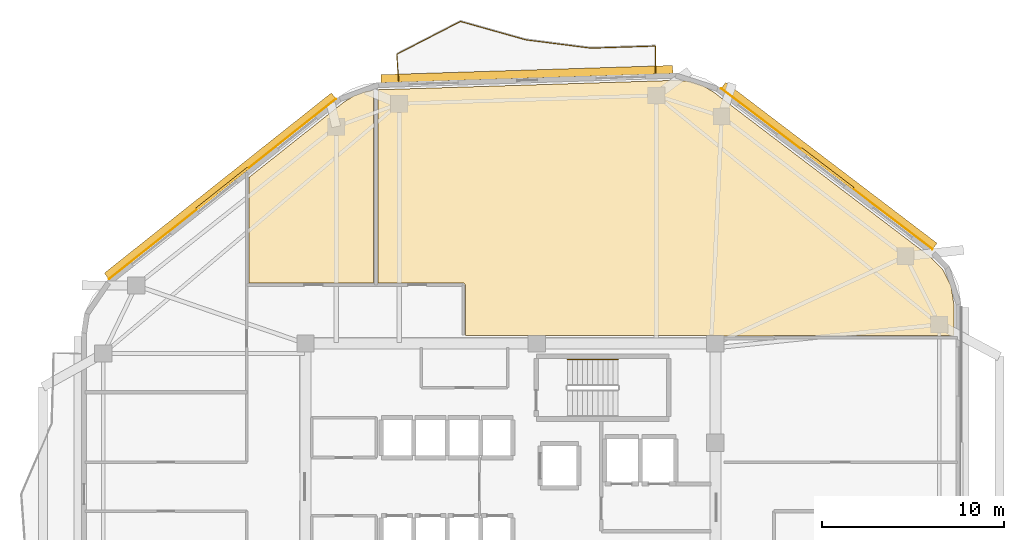
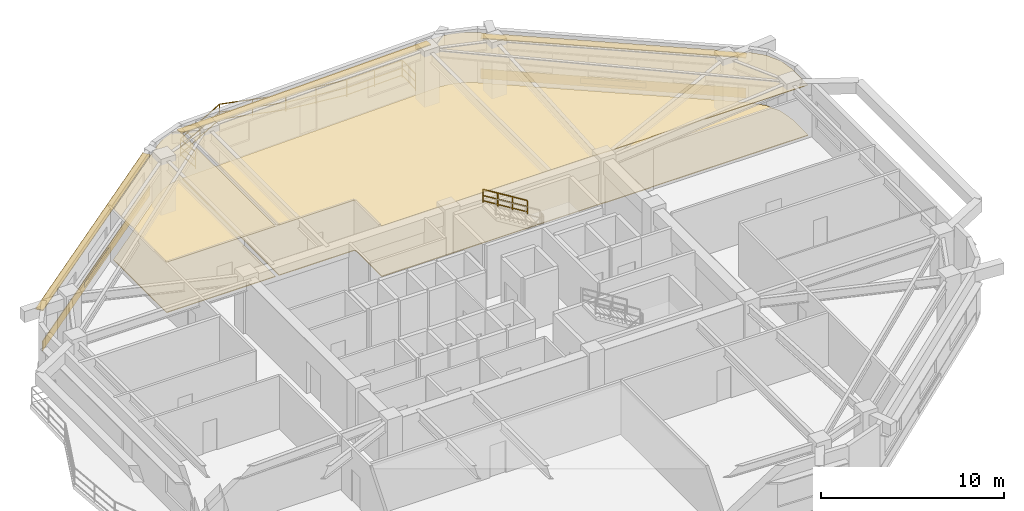
# One storey, part 9 of 9: 7 railings, 6 coverings, 5 shading devices.
"""IFC4 building model written with IfcOpenShell, lengths in metres."""

from ifc_helpers import new_model, si_unit, direction, frame, origin, origin_2d, place, context, subcontext, project, spatial, polyline, rectangle, outline, extrude, material, layer, layer_set, type_object, element, save


model = new_model("IFC4")

# Units and contexts
model_context = context("Model", 3, precision=1e-05, world=origin(), true_north=direction((0.0, 1.0)))
body_context = subcontext(model_context, "Body", "Model", "MODEL_VIEW")
ifc_project = project(units=[si_unit("LENGTHUNIT", "METRE"), si_unit("AREAUNIT", "SQUARE_METRE"), si_unit("VOLUMEUNIT", "CUBIC_METRE"), si_unit("PLANEANGLEUNIT", "RADIAN"), si_unit("MASSUNIT", "GRAM", prefix="KILO")], contexts=[model_context])

# Site, building, storey
site_placement = place(None, origin())
site = spatial("IfcSite", under=ifc_project, at=site_placement, CompositionType="ELEMENT")
building_placement = place(site_placement, origin())
building = spatial("IfcBuilding", under=site, at=building_placement, Name="Zulverin Broadcast Headquarters", CompositionType="ELEMENT")
storey_placement = place(building_placement, frame((0.0, 0.0, 189.60009765625)))
storey = spatial("IfcBuildingStorey", under=building, at=storey_placement, Name="L48", CompositionType="ELEMENT", Elevation=189.60009765625)

# Coverings
ifc_material_1 = material(Name="Perforated pale-metal acoustic baffle ceiling", Category="aluminium")
ifc_layer_1 = layer(ifc_material_1, 0.0400390625, Name="Perforated pale-metal acoustic baffle ceiling", Category="aluminium")
ifc_layer_set_1 = layer_set([ifc_layer_1], Name="Perforated pale-metal acoustic baffle ceiling")
covering_type_1 = type_object("IfcCoveringType", Name="COV-CEIL-ACOU", PredefinedType="CEILING", material=ifc_layer_set_1)
covering_1_placement = place(storey_placement, frame((0.0, 0.0, 3.35986328125)))
element("IfcCovering", 1, at=covering_1_placement, inside=storey, type_object=covering_type_1, Name="L48 Acoustic Baffle Ceiling 01", PredefinedType="CEILING", context=body_context, shape_type="SweptSolid", body=[
    extrude(outline(polyline([(22.6201171875, 36.419921875), (29.47998046875, 36.419921875), (29.47998046875, 47.00390625), (29.031982421875, 46.944091796875), (28.39599609375, 46.7080078125), (27.800048828125, 46.33203125), (22.6201171875, 42.219970703125), (22.6201171875, 36.419921875)])), origin(), (0.0, 0.0, 1.0), 0.0400390625),
])
covering_2_placement = place(storey_placement, frame((0.0, 0.0, 3.35986328125)))
element("IfcCovering", 2, at=covering_2_placement, inside=storey, type_object=covering_type_1, Name="L48 Acoustic Baffle Ceiling 02", PredefinedType="CEILING", context=body_context, shape_type="SweptSolid", body=[
    extrude(outline(polyline([(46.1279296875, 47.56005859375), (41.10400390625, 47.39990234375), (29.72802734375, 47.0400390625), (29.719970703125, 47.0400390625), (29.719970703125, 36.419921875), (34.367919921875, 36.419921875), (34.3798828125, 36.419921875), (34.39208984375, 36.416015625), (34.39990234375, 36.416015625), (34.412109375, 36.412109375), (34.419921875, 36.407958984375), (34.427978515625, 36.404052734375), (34.43603515625, 36.39990234375), (34.447998046875, 36.39208984375), (34.4599609375, 36.384033203125), (34.468017578125, 36.3759765625), (34.47607421875, 36.367919921875), (34.48388671875, 36.360107421875), (34.491943359375, 36.347900390625), (34.5, 36.3359375), (34.50390625, 36.327880859375), (34.508056640625, 36.320068359375), (34.511962890625, 36.31201171875), (34.51611328125, 36.300048828125), (34.51611328125, 36.2919921875), (34.52001953125, 36.280029296875), (34.52001953125, 36.26806640625), (34.52001953125, 33.52001953125), (48.568115234375, 33.52001953125), (48.580078125, 33.52001953125), (48.592041015625, 33.51611328125), (48.60009765625, 33.51611328125), (48.612060546875, 33.511962890625), (48.6201171875, 33.508056640625), (48.635986328125, 33.5), (51.464111328125, 33.5), (51.471923828125, 33.50390625), (51.47998046875, 33.508056640625), (51.488037109375, 33.511962890625), (51.5, 33.51611328125), (51.508056640625, 33.51611328125), (51.52001953125, 33.52001953125), (51.531982421875, 33.52001953125), (61.39990234375, 33.52001953125), (61.39990234375, 35.239990234375), (61.243896484375, 36.236083984375), (60.81201171875, 37.112060546875), (60.112060546875, 37.840087890625), (51.427978515625, 44.444091796875), (48.2080078125, 46.89208984375), (47.568115234375, 47.27587890625), (46.8759765625, 47.49609375), (46.1279296875, 47.56005859375)])), origin(), (0.0, 0.0, 1.0), 0.0400390625),
])
ifc_material_2 = material(Name="Brushed pale-aluminium rainscreen cladding", Category="aluminium")
ifc_layer_2 = layer(ifc_material_2, 0.0400390625, Name="Brushed pale-aluminium rainscreen cladding", Category="aluminium")
ifc_layer_set_2 = layer_set([ifc_layer_2], Name="Brushed pale-aluminium rainscreen cladding")
covering_type_2 = type_object("IfcCoveringType", Name="COV-CLAD-PALE", PredefinedType="CLADDING", material=ifc_layer_set_2)
covering_3_placement = place(storey_placement, frame((54.412353515625, 42.689453125, 0.054931640625), z_axis=(0.0, 0.0, 1.0), x_axis=(-0.795836111996, 0.605512083152, 0.0)))
element("IfcCovering", 3, at=covering_3_placement, inside=storey, type_object=covering_type_2, Name="L48 Brushed Pale-Aluminium Spandrel Cladding 4", PredefinedType="CLADDING", context=body_context, shape_type="SweptSolid", body=[
    extrude(rectangle(XDim=14.61181640625, YDim=0.0400390625, at=origin_2d()), origin(), (0.0, 0.0, 1.0), 0.64990234375),
])
covering_4_placement = place(storey_placement, frame((21.16015625, 41.583984375, 0.054931640625), z_axis=(0.0, 0.0, 1.0), x_axis=(-0.783270473924, -0.621681079556, 0.0)))
element("IfcCovering", 4, at=covering_4_placement, inside=storey, type_object=covering_type_2, Name="L48 Brushed Pale-Aluminium Spandrel Cladding 6", PredefinedType="CLADDING", context=body_context, shape_type="SweptSolid", body=[
    extrude(rectangle(XDim=15.953125, YDim=0.0400390625, at=origin_2d()), origin(), (0.0, 0.0, 1.0), 0.64990234375),
])
ifc_material_3 = material(Name="Anti-static broadcast raised access flooring", Category="stone")
ifc_layer_3 = layer(ifc_material_3, 0.050048828125, Name="Anti-static broadcast raised access flooring", Category="stone")
ifc_layer_set_3 = layer_set([ifc_layer_3], Name="Anti-static broadcast raised access flooring")
covering_type_3 = type_object("IfcCoveringType", Name="COV-FLR-RAISED", PredefinedType="FLOORING", material=ifc_layer_set_3)
covering_5_placement = place(storey_placement, origin())
element("IfcCovering", 5, at=covering_5_placement, inside=storey, type_object=covering_type_3, Name="L48 Broadcast Raised Access Flooring 01", PredefinedType="FLOORING", context=body_context, shape_type="SweptSolid", body=[
    extrude(outline(polyline([(22.6201171875, 36.419921875), (29.47998046875, 36.419921875), (29.47998046875, 47.00390625), (29.031982421875, 46.944091796875), (28.39599609375, 46.7080078125), (27.800048828125, 46.33203125), (22.6201171875, 42.219970703125), (22.6201171875, 36.419921875)])), origin(), (0.0, 0.0, 1.0), 0.0498046875),
])
covering_6_placement = place(storey_placement, origin())
element("IfcCovering", 6, at=covering_6_placement, inside=storey, type_object=covering_type_3, Name="L48 Broadcast Raised Access Flooring 02", PredefinedType="FLOORING", context=body_context, shape_type="SweptSolid", body=[
    extrude(outline(polyline([(46.1279296875, 47.56005859375), (41.10400390625, 47.39990234375), (29.72802734375, 47.0400390625), (29.719970703125, 47.0400390625), (29.719970703125, 36.419921875), (34.367919921875, 36.419921875), (34.3798828125, 36.419921875), (34.39208984375, 36.416015625), (34.39990234375, 36.416015625), (34.412109375, 36.412109375), (34.419921875, 36.407958984375), (34.427978515625, 36.404052734375), (34.43603515625, 36.39990234375), (34.447998046875, 36.39208984375), (34.4599609375, 36.384033203125), (34.468017578125, 36.3759765625), (34.47607421875, 36.367919921875), (34.48388671875, 36.360107421875), (34.491943359375, 36.347900390625), (34.5, 36.3359375), (34.50390625, 36.327880859375), (34.508056640625, 36.320068359375), (34.511962890625, 36.31201171875), (34.51611328125, 36.300048828125), (34.51611328125, 36.2919921875), (34.52001953125, 36.280029296875), (34.52001953125, 36.26806640625), (34.52001953125, 33.52001953125), (48.568115234375, 33.52001953125), (48.580078125, 33.52001953125), (48.592041015625, 33.51611328125), (48.60009765625, 33.51611328125), (48.612060546875, 33.511962890625), (48.6201171875, 33.508056640625), (48.635986328125, 33.5), (51.464111328125, 33.5), (51.471923828125, 33.50390625), (51.47998046875, 33.508056640625), (51.488037109375, 33.511962890625), (51.5, 33.51611328125), (51.508056640625, 33.51611328125), (51.52001953125, 33.52001953125), (51.531982421875, 33.52001953125), (61.39990234375, 33.52001953125), (61.39990234375, 35.239990234375), (61.243896484375, 36.236083984375), (60.81201171875, 37.112060546875), (60.112060546875, 37.840087890625), (51.427978515625, 44.444091796875), (48.2080078125, 46.89208984375), (47.568115234375, 47.27587890625), (46.8759765625, 47.49609375), (46.1279296875, 47.56005859375)])), origin(), (0.0, 0.0, 1.0), 0.0498046875),
])

# Railings
ifc_material_4 = material(Name="Brushed stainless steel & laminated glass balustrade", Category="steel")
railing_type_1 = type_object("IfcRailingType", Name="RL-GUARD-1150", PredefinedType="GUARDRAIL", material=ifc_material_4)
railing_1_placement = place(storey_placement, frame((44.978271484375, 47.962646484375, 0.0)))
element("IfcRailing", 7, at=railing_1_placement, inside=storey, type_object=railing_type_1, Name="L48 Vertical-Forest Balcony Guardrail BAL_N Segment 01", PredefinedType="GUARDRAIL", context=body_context, shape_type="SweptSolid", body=[
    extrude(rectangle(XDim=0.048095703125, YDim=0.048095703125, at=origin_2d()), frame((0.0, 0.0, 1.1259765625), z_axis=(0.008825634609, 0.999961053328, 0.0), x_axis=(-0.999961053328, 0.008825634609, 0.0)), (0.0, 0.0, 1.0), 1.466064453125),
    extrude(rectangle(XDim=0.0419921875, YDim=0.0419921875, at=origin_2d()), frame((0.0, 0.0, 0.597900390625), z_axis=(0.008825634609, 0.999961053328, 0.0), x_axis=(-0.999961053328, 0.008825634609, 0.0)), (0.0, 0.0, 1.0), 1.466064453125),
    extrude(rectangle(XDim=0.0419921875, YDim=0.0419921875, at=origin_2d()), frame((0.0, 0.0, 0.1201171875), z_axis=(0.008825634609, 0.999961053328, 0.0), x_axis=(-0.999961053328, 0.008825634609, 0.0)), (0.0, 0.0, 1.0), 1.466064453125),
    extrude(rectangle(XDim=0.0419921875, YDim=0.0419921875, at=origin_2d()), origin(), (0.0, 0.0, 1.0), 1.101806640625),
    extrude(rectangle(XDim=0.0419921875, YDim=0.0419921875, at=origin_2d()), frame((0.012939453125, 1.466064453125, 0.0)), (0.0, 0.0, 1.0), 1.101806640625),
])
railing_2_placement = place(storey_placement, frame((44.976318359375, 49.443359375, 0.0)))
element("IfcRailing", 8, at=railing_2_placement, inside=storey, type_object=railing_type_1, Name="L48 Vertical-Forest Balcony Guardrail BAL_N Segment 02", PredefinedType="GUARDRAIL", context=body_context, shape_type="SweptSolid", body=[
    extrude(rectangle(XDim=0.048095703125, YDim=0.048095703125, at=origin_2d()), frame((0.0, 0.0, 1.1259765625), z_axis=(-0.999496927381, -0.03171580295, 0.0), x_axis=(0.03171580295, -0.999496927381, 0.0)), (0.0, 0.0, 1.0), 3.533203125),
    extrude(rectangle(XDim=0.0419921875, YDim=0.0419921875, at=origin_2d()), frame((0.0, 0.0, 0.597900390625), z_axis=(-0.999496927381, -0.03171580295, 0.0), x_axis=(0.03171580295, -0.999496927381, 0.0)), (0.0, 0.0, 1.0), 3.533203125),
    extrude(rectangle(XDim=0.0419921875, YDim=0.0419921875, at=origin_2d()), frame((0.0, 0.0, 0.1201171875), z_axis=(-0.999496927381, -0.03171580295, 0.0), x_axis=(0.03171580295, -0.999496927381, 0.0)), (0.0, 0.0, 1.0), 3.533203125),
    extrude(rectangle(XDim=0.0419921875, YDim=0.0419921875, at=origin_2d()), origin(), (0.0, 0.0, 1.0), 1.101806640625),
    extrude(rectangle(XDim=0.0419921875, YDim=0.0419921875, at=origin_2d()), frame((-1.765625, -0.05615234375, 0.0)), (0.0, 0.0, 1.0), 1.101806640625),
    extrude(rectangle(XDim=0.0419921875, YDim=0.0419921875, at=origin_2d()), frame((-3.531494140625, -0.112060546875, 0.0)), (0.0, 0.0, 1.0), 1.101806640625),
])
railing_3_placement = place(storey_placement, frame((41.4150390625, 49.332763671875, 0.0)))
element("IfcRailing", 9, at=railing_3_placement, inside=storey, type_object=railing_type_1, Name="L48 Vertical-Forest Balcony Guardrail BAL_N Segment 03", PredefinedType="GUARDRAIL", context=body_context, shape_type="SweptSolid", body=[
    extrude(rectangle(XDim=0.048095703125, YDim=0.048095703125, at=origin_2d()), frame((0.0, 0.0, 1.1259765625), z_axis=(-0.991958712042, 0.126561896337, 0.0), x_axis=(-0.126561896337, -0.991958712042, 0.0)), (0.0, 0.0, 1.0), 3.578369140625),
    extrude(rectangle(XDim=0.0419921875, YDim=0.0419921875, at=origin_2d()), frame((0.0, 0.0, 0.597900390625), z_axis=(-0.991958712042, 0.126561896337, 0.0), x_axis=(-0.126561896337, -0.991958712042, 0.0)), (0.0, 0.0, 1.0), 3.578369140625),
    extrude(rectangle(XDim=0.0419921875, YDim=0.0419921875, at=origin_2d()), frame((0.0, 0.0, 0.1201171875), z_axis=(-0.991958712042, 0.126561896337, 0.0), x_axis=(-0.126561896337, -0.991958712042, 0.0)), (0.0, 0.0, 1.0), 3.578369140625),
    extrude(rectangle(XDim=0.0419921875, YDim=0.0419921875, at=origin_2d()), origin(), (0.0, 0.0, 1.0), 1.101806640625),
    extrude(rectangle(XDim=0.0419921875, YDim=0.0419921875, at=origin_2d()), frame((-1.77490234375, 0.2265625, 0.0)), (0.0, 0.0, 1.0), 1.101806640625),
    extrude(rectangle(XDim=0.0419921875, YDim=0.0419921875, at=origin_2d()), frame((-3.549560546875, 0.452880859375, 0.0)), (0.0, 0.0, 1.0), 1.101806640625),
])
railing_4_placement = place(storey_placement, frame((37.836181640625, 49.791748046875, 0.0)))
element("IfcRailing", 10, at=railing_4_placement, inside=storey, type_object=railing_type_1, Name="L48 Vertical-Forest Balcony Guardrail BAL_N Segment 04", PredefinedType="GUARDRAIL", context=body_context, shape_type="SweptSolid", body=[
    extrude(rectangle(XDim=0.048095703125, YDim=0.048095703125, at=origin_2d()), frame((0.0, 0.0, 1.1259765625), z_axis=(-0.962715289952, 0.270516673223, 0.0), x_axis=(-0.270516673223, -0.962715289952, 0.0)), (0.0, 0.0, 1.0), 3.70654296875),
    extrude(rectangle(XDim=0.0419921875, YDim=0.0419921875, at=origin_2d()), frame((0.0, 0.0, 0.597900390625), z_axis=(-0.962715289952, 0.270516673223, 0.0), x_axis=(-0.270516673223, -0.962715289952, 0.0)), (0.0, 0.0, 1.0), 3.70654296875),
    extrude(rectangle(XDim=0.0419921875, YDim=0.0419921875, at=origin_2d()), frame((0.0, 0.0, 0.1201171875), z_axis=(-0.962715289952, 0.270516673223, 0.0), x_axis=(-0.270516673223, -0.962715289952, 0.0)), (0.0, 0.0, 1.0), 3.70654296875),
    extrude(rectangle(XDim=0.0419921875, YDim=0.0419921875, at=origin_2d()), origin(), (0.0, 0.0, 1.0), 1.101806640625),
    extrude(rectangle(XDim=0.0419921875, YDim=0.0419921875, at=origin_2d()), frame((-1.7841796875, 0.50146484375, 0.0)), (0.0, 0.0, 1.0), 1.101806640625),
    extrude(rectangle(XDim=0.0419921875, YDim=0.0419921875, at=origin_2d()), frame((-3.568359375, 1.002685546875, 0.0)), (0.0, 0.0, 1.0), 1.101806640625),
])
railing_5_placement = place(storey_placement, frame((34.240234375, 50.79150390625, 0.0)))
element("IfcRailing", 11, at=railing_5_placement, inside=storey, type_object=railing_type_1, Name="L48 Vertical-Forest Balcony Guardrail BAL_N Segment 05", PredefinedType="GUARDRAIL", context=body_context, shape_type="SweptSolid", body=[
    extrude(rectangle(XDim=0.048095703125, YDim=0.048095703125, at=origin_2d()), frame((0.0, 0.0, 1.1259765625), z_axis=(-0.889026089134, -0.457856541767, 0.0), x_axis=(0.457856541767, -0.889026089134, 0.0)), (0.0, 0.0, 1.0), 3.91552734375),
    extrude(rectangle(XDim=0.0419921875, YDim=0.0419921875, at=origin_2d()), frame((0.0, 0.0, 0.597900390625), z_axis=(-0.889026089134, -0.457856541767, 0.0), x_axis=(0.457856541767, -0.889026089134, 0.0)), (0.0, 0.0, 1.0), 3.91552734375),
    extrude(rectangle(XDim=0.0419921875, YDim=0.0419921875, at=origin_2d()), frame((0.0, 0.0, 0.1201171875), z_axis=(-0.889026089134, -0.457856541767, 0.0), x_axis=(0.457856541767, -0.889026089134, 0.0)), (0.0, 0.0, 1.0), 3.91552734375),
    extrude(rectangle(XDim=0.0419921875, YDim=0.0419921875, at=origin_2d()), origin(), (0.0, 0.0, 1.0), 1.101806640625),
    extrude(rectangle(XDim=0.0419921875, YDim=0.0419921875, at=origin_2d()), frame((-1.740478515625, -0.896484375, 0.0)), (0.0, 0.0, 1.0), 1.101806640625),
    extrude(rectangle(XDim=0.0419921875, YDim=0.0419921875, at=origin_2d()), frame((-3.48095703125, -1.792724609375, 0.0)), (0.0, 0.0, 1.0), 1.101806640625),
])
railing_6_placement = place(storey_placement, frame((30.7470703125, 48.976806640625, 0.0)))
element("IfcRailing", 12, at=railing_6_placement, inside=storey, type_object=railing_type_1, Name="L48 Vertical-Forest Balcony Guardrail BAL_N Segment 06", PredefinedType="GUARDRAIL", context=body_context, shape_type="SweptSolid", body=[
    extrude(rectangle(XDim=0.048095703125, YDim=0.048095703125, at=origin_2d()), frame((0.0, 0.0, 1.1259765625), z_axis=(0.072110992432, -0.997396613575, 0.0), x_axis=(0.997396613575, 0.072110992432, 0.0)), (0.0, 0.0, 1.0), 1.466064453125),
    extrude(rectangle(XDim=0.0419921875, YDim=0.0419921875, at=origin_2d()), frame((0.0, 0.0, 0.597900390625), z_axis=(0.072110992432, -0.997396613575, 0.0), x_axis=(0.997396613575, 0.072110992432, 0.0)), (0.0, 0.0, 1.0), 1.466064453125),
    extrude(rectangle(XDim=0.0419921875, YDim=0.0419921875, at=origin_2d()), frame((0.0, 0.0, 0.1201171875), z_axis=(0.072110992432, -0.997396613575, 0.0), x_axis=(0.997396613575, 0.072110992432, 0.0)), (0.0, 0.0, 1.0), 1.466064453125),
    extrude(rectangle(XDim=0.0419921875, YDim=0.0419921875, at=origin_2d()), origin(), (0.0, 0.0, 1.0), 1.101806640625),
    extrude(rectangle(XDim=0.0419921875, YDim=0.0419921875, at=origin_2d()), frame((0.105712890625, -1.462158203125, 0.0)), (0.0, 0.0, 1.0), 1.101806640625),
])
ifc_material_5 = material(Name="Brushed stainless steel 48 mm handrail", Category="steel")
railing_type_2 = type_object("IfcRailingType", Name="RL-ST-HAND", PredefinedType="HANDRAIL", material=ifc_material_5)
railing_7_placement = place(storey_placement, frame((42.929931640625, 32.199951171875, 2.072509765625)))
element("IfcRailing", 13, at=railing_7_placement, inside=storey, type_object=railing_type_2, Name="L48 ST-1 stair handrail 2", PredefinedType="HANDRAIL", context=body_context, shape_type="SweptSolid", body=[
    extrude(rectangle(XDim=0.048095703125, YDim=0.048095703125, at=origin_2d()), frame((0.0, 0.0, 0.8759765625), z_axis=(-0.851089632645, 0.0, 0.525020415988), x_axis=(0.0, -1.0, 0.0)), (0.0, 0.0, 1.0), 3.2900390625),
    extrude(rectangle(XDim=0.0419921875, YDim=0.0419921875, at=origin_2d()), frame((0.0, 0.0, 0.468017578125), z_axis=(-0.851089632645, 0.0, 0.525020415988), x_axis=(0.0, -1.0, 0.0)), (0.0, 0.0, 1.0), 3.2900390625),
    extrude(rectangle(XDim=0.0419921875, YDim=0.0419921875, at=origin_2d()), frame((0.0, 0.0, 0.1201171875), z_axis=(-0.851089632645, 0.0, 0.525020415988), x_axis=(0.0, -1.0, 0.0)), (0.0, 0.0, 1.0), 3.2900390625),
    extrude(rectangle(XDim=0.0419921875, YDim=0.0419921875, at=origin_2d()), origin(), (0.0, 0.0, 1.0), 0.851806640625),
    extrude(rectangle(XDim=0.0419921875, YDim=0.0419921875, at=origin_2d()), frame((-0.933349609375, 0.0, 0.57568359375)), (0.0, 0.0, 1.0), 0.851806640625),
    extrude(rectangle(XDim=0.0419921875, YDim=0.0419921875, at=origin_2d()), frame((-1.86669921875, 0.0, 1.151611328125)), (0.0, 0.0, 1.0), 0.851806640625),
    extrude(rectangle(XDim=0.0419921875, YDim=0.0419921875, at=origin_2d()), frame((-2.800048828125, 0.0, 1.727294921875)), (0.0, 0.0, 1.0), 0.851806640625),
])

# Shading devices
ifc_material_6 = material(Name="Anodized pale-metal aluminium acoustic louvre", Category="aluminium")
shading_device_type_1 = type_object("IfcShadingDeviceType", Name="SHD-LOUVRE-350", PredefinedType="USERDEFINED", material=ifc_material_6)
for number, where, z_axis, x_axis, name in (
    (14, (54.4306640625, 42.713134765625, 0.244873046875), (0.0, 0.0, 1.0), (-0.795836111996, 0.605512083152, 0.0), "L48 Spandrel Intake Louvre 4"),
    (15, (21.1416015625, 41.607421875, 0.244873046875), (0.0, 0.0, 1.0), (-0.783270473924, -0.621681079556, 0.0), "L48 Spandrel Intake Louvre 6"),
):
    element("IfcShadingDevice", number, at=place(storey_placement, frame(where, z_axis=z_axis, x_axis=x_axis)), inside=storey, type_object=shading_device_type_1, Name=name, ObjectType="LOUVRE", PredefinedType="USERDEFINED", context=body_context, shape_type="SweptSolid", body=[
        extrude(rectangle(XDim=3.60009765625, YDim=0.1201171875, at=origin_2d()), origin(), (0.0, 0.0, 1.0), 0.35009765625),
    ])
ifc_material_7 = material(Name="Anodized pale-metal aluminium sunshade", Category="aluminium")
ifc_layer_4 = layer(ifc_material_7, 0.06005859375, Name="Anodized pale-metal aluminium sunshade", Category="aluminium")
ifc_layer_set_4 = layer_set([ifc_layer_4], Name="Anodized pale-metal aluminium sunshade")
shading_device_type_2 = type_object("IfcShadingDeviceType", Name="SS-01_PALE_METAL_ALUMINIUM_SUNSHADE", PredefinedType="USERDEFINED", material=ifc_layer_set_4)
shading_device_1_placement = place(storey_placement, frame((54.527587890625, 42.840576171875, 2.7099609375), z_axis=(0.0, 0.0, 1.0), x_axis=(-0.795836111996, 0.605512083152, 0.0)))
element("IfcShadingDevice", 16, at=shading_device_1_placement, inside=storey, type_object=shading_device_type_2, Name="L48 Horizontal Pale-Metal Sunshade Band 4", ObjectType="SUNSHADE", PredefinedType="USERDEFINED", context=body_context, shape_type="SweptSolid", body=[
    extrude(rectangle(XDim=14.61181640625, YDim=0.449951171875, at=origin_2d()), origin(), (0.0, 0.0, 1.0), 0.06005859375),
])
shading_device_2_placement = place(storey_placement, frame((37.910400390625, 47.8984375, 2.7099609375), z_axis=(0.0, 0.0, 1.0), x_axis=(-0.999497141269, -0.031709061709, 0.0)))
element("IfcShadingDevice", 17, at=shading_device_2_placement, inside=storey, type_object=shading_device_type_2, Name="L48 Horizontal Pale-Metal Sunshade Band 5", ObjectType="SUNSHADE", PredefinedType="USERDEFINED", context=body_context, shape_type="SweptSolid", body=[
    extrude(rectangle(XDim=16.052490234375, YDim=0.449951171875, at=origin_2d()), origin(), (0.0, 0.0, 1.0), 0.06005859375),
])
shading_device_3_placement = place(storey_placement, frame((21.0419921875, 41.73291015625, 2.7099609375), z_axis=(0.0, 0.0, 1.0), x_axis=(-0.783270473924, -0.621681079556, 0.0)))
element("IfcShadingDevice", 18, at=shading_device_3_placement, inside=storey, type_object=shading_device_type_2, Name="L48 Horizontal Pale-Metal Sunshade Band 6", ObjectType="SUNSHADE", PredefinedType="USERDEFINED", context=body_context, shape_type="SweptSolid", body=[
    extrude(rectangle(XDim=15.953125, YDim=0.449951171875, at=origin_2d()), origin(), (0.0, 0.0, 1.0), 0.06005859375),
])

save(model, "model.ifc")
